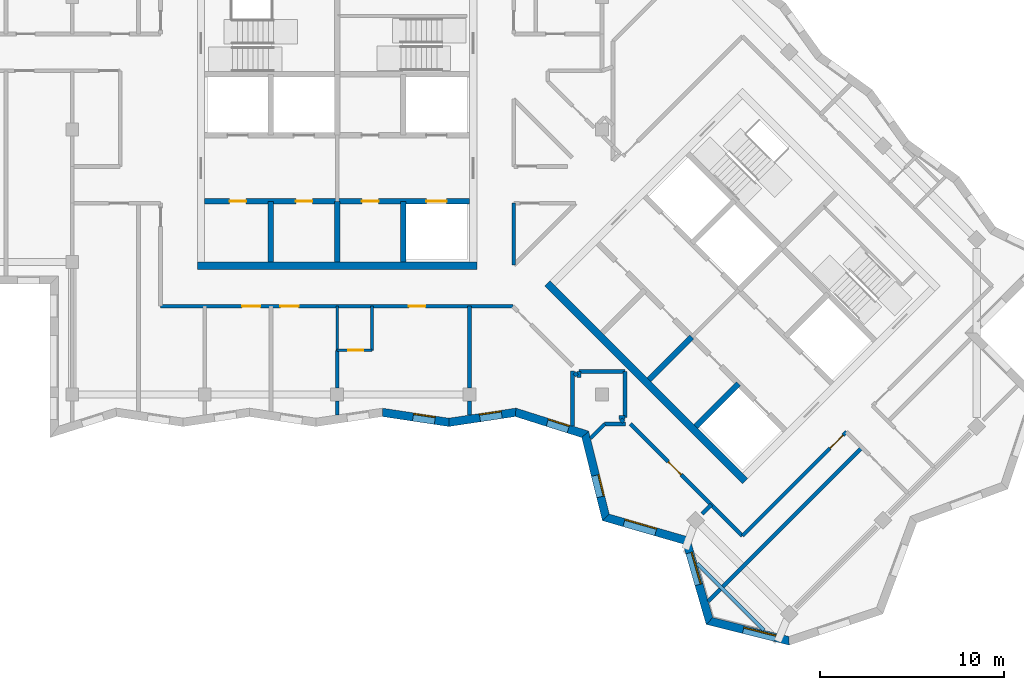
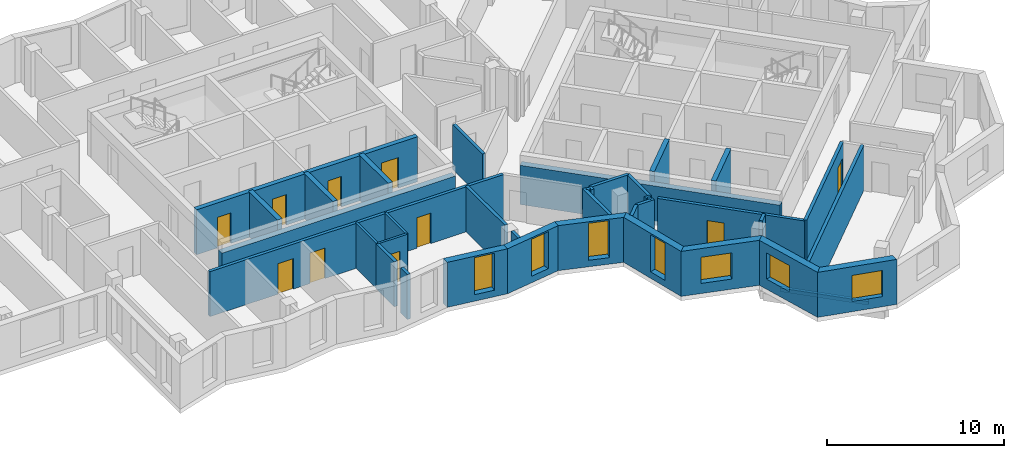
# One storey, part 3 of 11: 38 walls, 10 doors, 7 windows, 17 openings.
"""IFC4 building model written with IfcOpenShell, lengths in metres."""

from ifc_helpers import new_model, si_unit, direction, frame, frame_2d, origin, place, context, subcontext, project, spatial, polyline, rectangle, outline, extrude, material, layer, layer_set, type_object, element, fill, save


model = new_model("IFC4")

# Units and contexts
model_context = context("Model", 3, precision=1e-05, world=origin(), true_north=direction((0.0, 1.0)))
body_context = subcontext(model_context, "Body", "Model", "MODEL_VIEW")
ifc_project = project(units=[si_unit("LENGTHUNIT", "METRE"), si_unit("AREAUNIT", "SQUARE_METRE"), si_unit("VOLUMEUNIT", "CUBIC_METRE"), si_unit("PLANEANGLEUNIT", "RADIAN"), si_unit("MASSUNIT", "GRAM", prefix="KILO")], contexts=[model_context])

# Site, building, storey
site_placement = place(None, origin())
site = spatial("IfcSite", under=ifc_project, at=site_placement, CompositionType="ELEMENT")
building_placement = place(site_placement, origin())
building = spatial("IfcBuilding", under=site, at=building_placement, Name="Windrow Commons", CompositionType="ELEMENT")
storey_placement = place(building_placement, frame((0.0, 0.0, 271.0)))
storey = spatial("IfcBuildingStorey", under=building, at=storey_placement, Name="L74", CompositionType="ELEMENT", Elevation=271.0)

# Wall, opening, window
ifc_material_1 = material(Name="Brick masonry, red clay brick", Category="masonry")
ifc_layer_1 = layer(ifc_material_1, 0.45)
ifc_layer_set_1 = layer_set([ifc_layer_1], Name="Brick facade wall 450")
wall_type_1 = type_object("IfcWallType", Name="Brick facade wall 450", PredefinedType="SOLIDWALL", material=ifc_layer_set_1)
wall_1_placement = place(storey_placement, frame((67.2612, 42.2275, 0.0), z_axis=(0.0, 0.0, 1.0), x_axis=(0.9889295242, -0.1483859704, 0.0)))
wall_1 = element("IfcWall", 1, at=wall_1_placement, inside=storey, type_object=wall_type_1, Name="Brick facade wall L74 43", PredefinedType="SOLIDWALL", context=body_context, shape_type="SweptSolid", body=[
    extrude(outline(polyline([(0.0338, -0.225), (3.6864, -0.225), (3.6189, 0.225), (-0.0338, 0.225), (0.0338, -0.225)])), origin(), (0.0, 0.0, 1.0), 3.1),
])
opening_1_placement = place(wall_1_placement, frame((1.6852, 0.0, 0.45)))
opening_1 = element("IfcOpeningElement", 2, at=opening_1_placement, cuts=wall_1, Name="Opening W7F", PredefinedType="OPENING", context=body_context, shape_type="SweptSolid", body=[
    extrude(rectangle(XDim=1.2, YDim=2.55, at=frame_2d((0.6, 1.275))), frame((0.0, 0.235, 0.0), z_axis=(0.0, -1.0, 0.0), x_axis=(1.0, 0.0, 0.0)), (0.0, 0.0, 1.0), 0.47),
])
ifc_material_2 = material(Name="Clear float glass in anodised aluminium frame", Category="aluminium")
window_type_1 = type_object("IfcWindowType", Name="Window W7 notch 1200x2550", PartitioningType="SINGLE_PANEL", PredefinedType="WINDOW", material=ifc_material_2)
window_1_placement = place(opening_1_placement, origin())
window_1 = element("IfcWindow", 3, at=window_1_placement, inside=storey, type_object=window_type_1, Name="Window L74 43.1", OverallHeight=2.55, OverallWidth=1.2, PartitioningType="SINGLE_PANEL", PredefinedType="WINDOW", context=body_context, shape_type="SweptSolid", body=[
    extrude(rectangle(XDim=1.2, YDim=2.55, at=frame_2d((0.6, 1.275))), frame((0.0, 0.205, 0.0), z_axis=(0.0, -1.0, 0.0), x_axis=(1.0, 0.0, 0.0)), (0.0, 0.0, 1.0), 0.06),
])
fill(opening_1, window_1)

wall_2_placement = place(storey_placement, frame((70.8734, 41.6855, 0.0), z_axis=(0.0, 0.0, 1.0), x_axis=(0.9889307576, 0.14837775, 0.0)))
wall_2 = element("IfcWall", 4, at=wall_2_placement, inside=storey, type_object=wall_type_1, Name="Brick facade wall L74 44", PredefinedType="SOLIDWALL", context=body_context, shape_type="SweptSolid", body=[
    extrude(outline(polyline([(-0.0338, -0.225), (3.6189, -0.225), (3.7231, 0.225), (0.0338, 0.225), (-0.0338, -0.225)])), origin(), (0.0, 0.0, 1.0), 3.1),
])
opening_2_placement = place(wall_2_placement, frame((1.7051, 0.0, 0.45)))
opening_2 = element("IfcOpeningElement", 5, at=opening_2_placement, cuts=wall_2, Name="Opening W7F", PredefinedType="OPENING", context=body_context, shape_type="SweptSolid", body=[
    extrude(rectangle(XDim=1.2, YDim=2.55, at=frame_2d((0.6, 1.275))), frame((0.0, 0.235, 0.0), z_axis=(0.0, -1.0, 0.0), x_axis=(1.0, 0.0, 0.0)), (0.0, 0.0, 1.0), 0.47),
])
window_2_placement = place(opening_2_placement, origin())
window_2 = element("IfcWindow", 6, at=window_2_placement, inside=storey, type_object=window_type_1, Name="Window L74 44.1", OverallHeight=2.55, OverallWidth=1.2, PartitioningType="SINGLE_PANEL", PredefinedType="WINDOW", context=body_context, shape_type="SweptSolid", body=[
    extrude(rectangle(XDim=1.2, YDim=2.55, at=frame_2d((0.6, 1.275))), frame((0.0, 0.205, 0.0), z_axis=(0.0, -1.0, 0.0), x_axis=(1.0, 0.0, 0.0)), (0.0, 0.0, 1.0), 0.06),
])
fill(opening_2, window_2)

wall_3_placement = place(storey_placement, frame((74.5038, 42.2302, 0.0), z_axis=(0.0, 0.0, 1.0), x_axis=(0.9534896492, -0.3014257601, 0.0)))
wall_3 = element("IfcWall", 7, at=wall_3_placement, inside=storey, type_object=wall_type_1, Name="Brick facade wall L74 45", PredefinedType="SOLIDWALL", context=body_context, shape_type="SweptSolid", body=[
    extrude(outline(polyline([(0.0521, -0.225), (3.8406, -0.225), (4.0925, 0.225), (-0.0521, 0.225), (0.0521, -0.225)])), origin(), (0.0, 0.0, 1.0), 3.1),
])
opening_3_placement = place(wall_3_placement, frame((1.8081, 0.0, 0.45)))
opening_3 = element("IfcOpeningElement", 8, at=opening_3_placement, cuts=wall_3, Name="Opening W7F", PredefinedType="OPENING", context=body_context, shape_type="SweptSolid", body=[
    extrude(rectangle(XDim=1.2, YDim=2.55, at=frame_2d((0.6, 1.275))), frame((0.0, 0.235, 0.0), z_axis=(0.0, -1.0, 0.0), x_axis=(1.0, 0.0, 0.0)), (0.0, 0.0, 1.0), 0.47),
])
window_3_placement = place(opening_3_placement, origin())
window_3 = element("IfcWindow", 9, at=window_3_placement, inside=storey, type_object=window_type_1, Name="Window L74 45.1", OverallHeight=2.55, OverallWidth=1.2, PartitioningType="SINGLE_PANEL", PredefinedType="WINDOW", context=body_context, shape_type="SweptSolid", body=[
    extrude(rectangle(XDim=1.2, YDim=2.55, at=frame_2d((0.6, 1.275))), frame((0.0, 0.205, 0.0), z_axis=(0.0, -1.0, 0.0), x_axis=(1.0, 0.0, 0.0)), (0.0, 0.0, 1.0), 0.06),
])
fill(opening_3, window_3)

wall_4_placement = place(storey_placement, frame((78.2858, 41.0346, 0.0), z_axis=(0.0, 0.0, 1.0), x_axis=(0.2414328965, -0.9704175166, 0.0)))
wall_4 = element("IfcWall", 10, at=wall_4_placement, inside=storey, type_object=wall_type_1, Name="Brick facade wall L74 46", PredefinedType="SOLIDWALL", context=body_context, shape_type="SweptSolid", body=[
    extrude(outline(polyline([(0.126, -0.225), (4.7818, -0.225), (4.5225, 0.225), (-0.126, 0.225), (0.126, -0.225)])), origin(), (0.0, 0.0, 1.0), 3.1),
])
opening_4_placement = place(wall_4_placement, frame((2.3004, 0.0, 0.45)))
opening_4 = element("IfcOpeningElement", 11, at=opening_4_placement, cuts=wall_4, Name="Opening W7F", PredefinedType="OPENING", context=body_context, shape_type="SweptSolid", body=[
    extrude(rectangle(XDim=1.2, YDim=2.55, at=frame_2d((0.6, 1.275))), frame((0.0, 0.235, 0.0), z_axis=(0.0, -1.0, 0.0), x_axis=(1.0, 0.0, 0.0)), (0.0, 0.0, 1.0), 0.47),
])
window_4_placement = place(opening_4_placement, origin())
window_4 = element("IfcWindow", 12, at=window_4_placement, inside=storey, type_object=window_type_1, Name="Window L74 46.1", OverallHeight=2.55, OverallWidth=1.2, PartitioningType="SINGLE_PANEL", PredefinedType="WINDOW", context=body_context, shape_type="SweptSolid", body=[
    extrude(rectangle(XDim=1.2, YDim=2.55, at=frame_2d((0.6, 1.275))), frame((0.0, 0.205, 0.0), z_axis=(0.0, -1.0, 0.0), x_axis=(1.0, 0.0, 0.0)), (0.0, 0.0, 1.0), 0.06),
])
fill(opening_4, window_4)

wall_5_placement = place(storey_placement, frame((79.409, 36.52, 0.0), z_axis=(0.0, 0.0, 1.0), x_axis=(0.9606525687, -0.2777528438, 0.0)))
wall_5 = element("IfcWall", 13, at=wall_5_placement, inside=storey, type_object=wall_type_1, Name="Brick facade wall L74 47", PredefinedType="SOLIDWALL", context=body_context, shape_type="SweptSolid", body=[
    extrude(outline(polyline([(-0.1296, -0.225), (4.4264, -0.225), (4.6745, 0.225), (0.1296, 0.225), (-0.1296, -0.225)])), origin(), (0.0, 0.0, 1.0), 3.1),
])
opening_5_placement = place(wall_5_placement, frame((1.0298, 0.0, 0.7)))
opening_5 = element("IfcOpeningElement", 14, at=opening_5_placement, cuts=wall_5, Name="Opening W1M", PredefinedType="OPENING", context=body_context, shape_type="SweptSolid", body=[
    extrude(rectangle(XDim=1.8, YDim=1.8, at=frame_2d((0.9, 0.9))), frame((0.0, 0.235, 0.0), z_axis=(0.0, -1.0, 0.0), x_axis=(1.0, 0.0, 0.0)), (0.0, 0.0, 1.0), 0.47),
])
ifc_material_3 = material(Name="Clear float glass in anodised aluminium frame", Category="aluminium")
window_type_2 = type_object("IfcWindowType", Name="Window W1M bedroom 1800x1800", PartitioningType="SINGLE_PANEL", PredefinedType="WINDOW", material=ifc_material_3)
window_5_placement = place(opening_5_placement, origin())
window_5 = element("IfcWindow", 15, at=window_5_placement, inside=storey, type_object=window_type_2, Name="Window L74 47.1", OverallHeight=1.8, OverallWidth=1.8, PartitioningType="SINGLE_PANEL", PredefinedType="WINDOW", context=body_context, shape_type="SweptSolid", body=[
    extrude(rectangle(XDim=1.8, YDim=1.8, at=frame_2d((0.9, 0.9))), frame((0.0, 0.205, 0.0), z_axis=(0.0, -1.0, 0.0), x_axis=(1.0, 0.0, 0.0)), (0.0, 0.0, 1.0), 0.06),
])
fill(opening_5, window_5)

wall_6_placement = place(storey_placement, frame((83.7804, 35.2561, 0.0), z_axis=(0.0, 0.0, 1.0), x_axis=(0.2777528438, -0.9606525687, 0.0)))
wall_6 = element("IfcWall", 16, at=wall_6_placement, inside=storey, type_object=wall_type_1, Name="Brick facade wall L74 48", PredefinedType="SOLIDWALL", context=body_context, shape_type="SweptSolid", body=[
    extrude(outline(polyline([(0.1241, -0.225), (4.6801, -0.225), (4.4208, 0.225), (-0.1241, 0.225), (0.1241, -0.225)])), origin(), (0.0, 0.0, 1.0), 3.1),
])
opening_6_placement = place(wall_6_placement, frame((0.6865, 0.0, 0.7)))
opening_6 = element("IfcOpeningElement", 17, at=opening_6_placement, cuts=wall_6, Name="Opening W1M", PredefinedType="OPENING", context=body_context, shape_type="SweptSolid", body=[
    extrude(rectangle(XDim=1.8, YDim=1.8, at=frame_2d((0.9, 0.9))), frame((0.0, 0.235, 0.0), z_axis=(0.0, -1.0, 0.0), x_axis=(1.0, 0.0, 0.0)), (0.0, 0.0, 1.0), 0.47),
])
window_6_placement = place(opening_6_placement, origin())
window_6 = element("IfcWindow", 18, at=window_6_placement, inside=storey, type_object=window_type_2, Name="Window L74 48.1", OverallHeight=1.8, OverallWidth=1.8, PartitioningType="SINGLE_PANEL", PredefinedType="WINDOW", context=body_context, shape_type="SweptSolid", body=[
    extrude(rectangle(XDim=1.8, YDim=1.8, at=frame_2d((0.9, 0.9))), frame((0.0, 0.135, 0.0), z_axis=(0.0, -1.0, 0.0), x_axis=(1.0, 0.0, 0.0)), (0.0, 0.0, 1.0), 0.06),
])
fill(opening_6, window_6)

wall_7_placement = place(storey_placement, frame((85.0443, 30.8847, 0.0), z_axis=(0.0, 0.0, 1.0), x_axis=(0.9704174733, -0.2414330705, 0.0)))
wall_7 = element("IfcWall", 19, at=wall_7_placement, inside=storey, type_object=wall_type_1, Name="Brick facade wall L74 49", PredefinedType="SOLIDWALL", context=body_context, shape_type="SweptSolid", body=[
    extrude(outline(polyline([(-0.1296, -0.225), (4.5262, -0.225), (4.3955, 0.225), (0.1296, 0.225), (-0.1296, -0.225)])), origin(), (0.0, 0.0, 1.0), 3.1),
])
opening_7_placement = place(wall_7_placement, frame((1.8963, 0.0, 0.7)))
opening_7 = element("IfcOpeningElement", 20, at=opening_7_placement, cuts=wall_7, Name="Opening W1M", PredefinedType="OPENING", context=body_context, shape_type="SweptSolid", body=[
    extrude(rectangle(XDim=1.8, YDim=1.8, at=frame_2d((0.9, 0.9))), frame((0.0, 0.235, 0.0), z_axis=(0.0, -1.0, 0.0), x_axis=(1.0, 0.0, 0.0)), (0.0, 0.0, 1.0), 0.47),
])
window_7_placement = place(opening_7_placement, origin())
window_7 = element("IfcWindow", 21, at=window_7_placement, inside=storey, type_object=window_type_2, Name="Window L74 49.1", OverallHeight=1.8, OverallWidth=1.8, PartitioningType="SINGLE_PANEL", PredefinedType="WINDOW", context=body_context, shape_type="SweptSolid", body=[
    extrude(rectangle(XDim=1.8, YDim=1.8, at=frame_2d((0.9, 0.9))), frame((0.0, 0.135, 0.0), z_axis=(0.0, -1.0, 0.0), x_axis=(1.0, 0.0, 0.0)), (0.0, 0.0, 1.0), 0.06),
])
fill(opening_7, window_7)

# Wall, openings, doors
ifc_material_4 = material(Name="Blockwork partition", Category="masonry")
ifc_layer_2 = layer(ifc_material_4, 0.2)
ifc_layer_set_2 = layer_set([ifc_layer_2], Name="IW-CORRIDOR-200")
wall_type_2 = type_object("IfcWallType", Name="IW-CORRIDOR-200", PredefinedType="PARTITIONING", material=ifc_layer_set_2)
wall_8_placement = place(storey_placement, frame((55.2, 48.0, 0.0), z_axis=(0.0, 0.0, 1.0), x_axis=(1.0, 0.0, 0.0)))
wall_8 = element("IfcWall", 22, at=wall_8_placement, inside=storey, type_object=wall_type_2, Name="W-L74-W001", PredefinedType="PARTITIONING", context=body_context, shape_type="SweptSolid", body=[
    extrude(rectangle(XDim=19.15, YDim=0.2, at=frame_2d((9.575, 0.0))), origin(), (0.0, 0.0, 1.0), 3.1),
])
opening_8_placement = place(wall_8_placement, frame((4.4325, 0.0, 0.0)))
opening_8 = element("IfcOpeningElement", 23, at=opening_8_placement, cuts=wall_8, Name="Opening D310F", PredefinedType="OPENING", context=body_context, shape_type="SweptSolid", body=[
    extrude(rectangle(XDim=1.0, YDim=2.1, at=frame_2d((0.5, 1.05))), frame((0.0, 0.11, 0.0), z_axis=(0.0, -1.0, 0.0), x_axis=(1.0, 0.0, 0.0)), (0.0, 0.0, 1.0), 0.22),
])
opening_9_placement = place(wall_8_placement, frame((6.5075, 0.0, 0.0)))
opening_9 = element("IfcOpeningElement", 24, at=opening_9_placement, cuts=wall_8, Name="Opening D310F", PredefinedType="OPENING", context=body_context, shape_type="SweptSolid", body=[
    extrude(rectangle(XDim=1.0, YDim=2.1, at=frame_2d((0.5, 1.05))), frame((0.0, 0.11, 0.0), z_axis=(0.0, -1.0, 0.0), x_axis=(1.0, 0.0, 0.0)), (0.0, 0.0, 1.0), 0.22),
])
opening_10_placement = place(wall_8_placement, frame((13.4994, 0.0, 0.0)))
opening_10 = element("IfcOpeningElement", 25, at=opening_10_placement, cuts=wall_8, Name="Opening D109F", PredefinedType="OPENING", context=body_context, shape_type="SweptSolid", body=[
    extrude(rectangle(XDim=0.9, YDim=2.1, at=frame_2d((0.45, 1.05))), frame((0.0, 0.11, 0.0), z_axis=(0.0, -1.0, 0.0), x_axis=(1.0, 0.0, 0.0)), (0.0, 0.0, 1.0), 0.22),
])
ifc_material_5 = material(Name="Timber door leaf", Category="wood")
door_type_1 = type_object("IfcDoorType", Name="DT-AMENITY-1000", OperationType="SINGLE_SWING_LEFT", PredefinedType="DOOR", material=ifc_material_5)
door_1_placement = place(opening_8_placement, origin())
door_1 = element("IfcDoor", 26, at=door_1_placement, inside=storey, type_object=door_type_1, Name="D-L74-D008", OperationType="SINGLE_SWING_LEFT", OverallHeight=2.1, OverallWidth=1.0, PredefinedType="DOOR", context=body_context, shape_type="SweptSolid", body=[
    extrude(rectangle(XDim=1.0, YDim=2.1, at=frame_2d((0.5, 1.05))), frame((0.0, 0.025, 0.0), z_axis=(0.0, -1.0, 0.0), x_axis=(1.0, 0.0, 0.0)), (0.0, 0.0, 1.0), 0.05),
])
fill(opening_8, door_1)
door_2_placement = place(opening_9_placement, origin())
door_2 = element("IfcDoor", 27, at=door_2_placement, inside=storey, type_object=door_type_1, Name="D-L74-D009", OperationType="SINGLE_SWING_RIGHT", OverallHeight=2.1, OverallWidth=1.0, PredefinedType="DOOR", context=body_context, shape_type="SweptSolid", body=[
    extrude(rectangle(XDim=1.0, YDim=2.1, at=frame_2d((0.5, 1.05))), frame((0.0, 0.025, 0.0), z_axis=(0.0, -1.0, 0.0), x_axis=(1.0, 0.0, 0.0)), (0.0, 0.0, 1.0), 0.05),
])
fill(opening_9, door_2)
ifc_material_6 = material(Name="Timber door leaf", Category="wood")
door_type_2 = type_object("IfcDoorType", Name="DT-BEDROOM-900", OperationType="SINGLE_SWING_LEFT", PredefinedType="DOOR", material=ifc_material_6)
door_3_placement = place(opening_10_placement, origin())
door_3 = element("IfcDoor", 28, at=door_3_placement, inside=storey, type_object=door_type_2, Name="D-L74-D010", OperationType="SINGLE_SWING_LEFT", OverallHeight=2.1, OverallWidth=0.9, PredefinedType="DOOR", context=body_context, shape_type="SweptSolid", body=[
    extrude(rectangle(XDim=0.9, YDim=2.1, at=frame_2d((0.45, 1.05))), frame((0.0, 0.025, 0.0), z_axis=(0.0, -1.0, 0.0), x_axis=(1.0, 0.0, 0.0)), (0.0, 0.0, 1.0), 0.05),
])
fill(opening_10, door_3)

# Wall, opening, door
wall_9_placement = place(storey_placement, frame((80.7468, 41.5968, 0.0), z_axis=(0.0, 0.0, 1.0), x_axis=(0.7071067812, -0.7071067812, 0.0)))
wall_9 = element("IfcWall", 29, at=wall_9_placement, inside=storey, type_object=wall_type_2, Name="W-L74-W013", PredefinedType="PARTITIONING", context=body_context, shape_type="SweptSolid", body=[
    extrude(rectangle(XDim=8.6069, YDim=0.2, at=frame_2d((4.3034, 0.0))), origin(), (0.0, 0.0, 1.0), 3.1),
])
opening_11_placement = place(wall_9_placement, frame((2.9026, 0.0, 0.0)))
opening_11 = element("IfcOpeningElement", 30, at=opening_11_placement, cuts=wall_9, Name="Opening D310F", PredefinedType="OPENING", context=body_context, shape_type="SweptSolid", body=[
    extrude(rectangle(XDim=1.0, YDim=2.1, at=frame_2d((0.5, 1.05))), frame((0.0, 0.11, 0.0), z_axis=(0.0, -1.0, 0.0), x_axis=(1.0, 0.0, 0.0)), (0.0, 0.0, 1.0), 0.22),
])
door_4_placement = place(opening_11_placement, origin())
door_4 = element("IfcDoor", 31, at=door_4_placement, inside=storey, type_object=door_type_1, Name="D-L74-D033", OperationType="SINGLE_SWING_RIGHT", OverallHeight=2.1, OverallWidth=1.0, PredefinedType="DOOR", context=body_context, shape_type="SweptSolid", body=[
    extrude(rectangle(XDim=1.0, YDim=2.1, at=frame_2d((0.5, 1.05))), frame((0.0, 0.025, 0.0), z_axis=(0.0, -1.0, 0.0), x_axis=(1.0, 0.0, 0.0)), (0.0, 0.0, 1.0), 0.05),
])
fill(opening_11, door_4)

wall_10_placement = place(storey_placement, frame((86.8359, 35.5141, 0.0), z_axis=(0.0, 0.0, 1.0), x_axis=(0.7071067812, 0.7071067812, 0.0)))
wall_10 = element("IfcWall", 32, at=wall_10_placement, inside=storey, type_object=wall_type_2, Name="W-L74-W014", PredefinedType="PARTITIONING", context=body_context, shape_type="SweptSolid", body=[
    extrude(rectangle(XDim=7.9988, YDim=0.2, at=frame_2d((3.9994, 0.0))), origin(), (0.0, 0.0, 1.0), 3.1),
])
opening_12_placement = place(wall_10_placement, frame((6.7421, 0.0, 0.0)))
opening_12 = element("IfcOpeningElement", 33, at=opening_12_placement, cuts=wall_10, Name="Opening D310F", PredefinedType="OPENING", context=body_context, shape_type="SweptSolid", body=[
    extrude(rectangle(XDim=1.0, YDim=2.1, at=frame_2d((0.5, 1.05))), frame((0.0, 0.11, 0.0), z_axis=(0.0, -1.0, 0.0), x_axis=(1.0, 0.0, 0.0)), (0.0, 0.0, 1.0), 0.22),
])
door_5_placement = place(opening_12_placement, origin())
door_5 = element("IfcDoor", 34, at=door_5_placement, inside=storey, type_object=door_type_1, Name="D-L74-D034", OperationType="SINGLE_SWING_RIGHT", OverallHeight=2.1, OverallWidth=1.0, PredefinedType="DOOR", context=body_context, shape_type="SweptSolid", body=[
    extrude(rectangle(XDim=1.0, YDim=2.1, at=frame_2d((0.5, 1.05))), frame((0.0, 0.025, 0.0), z_axis=(0.0, -1.0, 0.0), x_axis=(1.0, 0.0, 0.0)), (0.0, 0.0, 1.0), 0.05),
])
fill(opening_12, door_5)

# Walls
wall_11_placement = place(storey_placement, frame((74.4, 50.232, 0.0), z_axis=(0.0, 0.0, 1.0), x_axis=(0.0, 1.0, 0.0)))
element("IfcWall", 35, at=wall_11_placement, inside=storey, type_object=wall_type_2, Name="W-L74-W054", PredefinedType="PARTITIONING", context=body_context, shape_type="SweptSolid", body=[
    extrude(rectangle(XDim=3.368, YDim=0.2, at=frame_2d((1.684, 0.0))), origin(), (0.0, 0.0, 1.0), 3.1),
])
for number, where, z_axis, x_axis, name in (
    (36, (80.45, 41.952, 0.0), (0.0, 0.0, 1.0), (0.0, 1.0, 0.0), "W-L74-W068"),
    (37, (77.952, 44.45, 0.0), (0.0, 0.0, 1.0), (1.0, 0.0, 0.0), "W-L74-W069"),
):
    element("IfcWall", number, at=place(storey_placement, frame(where, z_axis=z_axis, x_axis=x_axis)), inside=storey, type_object=wall_type_2, Name=name, PredefinedType="PARTITIONING", context=body_context, shape_type="SweptSolid", body=[
        extrude(rectangle(XDim=2.498, YDim=0.2, at=frame_2d((1.249, 0.0))), origin(), (0.0, 0.0, 1.0), 3.1),
    ])
for number, where, z_axis, x_axis, name in (
    (38, (80.2205, 41.8545, 0.0), (0.0, 0.0, 1.0), (0.7068844555, -0.707329037, 0.0), "W-L74-W115"),
    (39, (77.6954, 44.3795, 0.0), (0.0, 0.0, 1.0), (0.707329037, -0.7068844555, 0.0), "W-L74-W116"),
):
    element("IfcWall", number, at=place(storey_placement, frame(where, z_axis=z_axis, x_axis=x_axis)), inside=storey, type_object=wall_type_2, Name=name, PredefinedType="PARTITIONING", context=body_context, shape_type="SweptSolid", body=[
        extrude(rectangle(XDim=0.2249, YDim=0.2, at=frame_2d((0.1124, 0.0))), origin(), (0.0, 0.0, 1.0), 3.1),
    ])
for number, where, z_axis, x_axis, name in (
    (40, (80.118, 41.95, 0.0), (0.0, 0.0, 1.0), (1.0, 0.0, 0.0), "W-L74-W125"),
    (41, (77.95, 44.118, 0.0), (0.0, 0.0, 1.0), (0.0, 1.0, 0.0), "W-L74-W126"),
):
    element("IfcWall", number, at=place(storey_placement, frame(where, z_axis=z_axis, x_axis=x_axis)), inside=storey, type_object=wall_type_2, Name=name, PredefinedType="PARTITIONING", context=body_context, shape_type="SweptSolid", body=[
        extrude(rectangle(XDim=0.332, YDim=0.2, at=frame_2d((0.166, 0.0))), origin(), (0.0, 0.0, 1.0), 3.1),
    ])
ifc_material_7 = material(Name="Blockwork partition", Category="masonry")
ifc_layer_3 = layer(ifc_material_7, 0.15)
ifc_layer_set_3 = layer_set([ifc_layer_3], Name="IW-ENSUITE-150")
wall_type_3 = type_object("IfcWallType", Name="IW-ENSUITE-150", PredefinedType="PARTITIONING", material=ifc_layer_set_3)
for number, where, z_axis, x_axis, name in (
    (42, (66.7, 45.6, 0.0), (0.0, 0.0, 1.0), (0.0, 1.0, 0.0), "W-L74-W070"),
    (43, (64.8, 45.6, 0.0), (0.0, 0.0, 1.0), (0.0, 1.0, 0.0), "W-L74-W071"),
):
    element("IfcWall", number, at=place(storey_placement, frame(where, z_axis=z_axis, x_axis=x_axis)), inside=storey, type_object=wall_type_3, Name=name, PredefinedType="PARTITIONING", context=body_context, shape_type="SweptSolid", body=[
        extrude(rectangle(XDim=2.4, YDim=0.15, at=frame_2d((1.2, 0.0))), origin(), (0.0, 0.0, 1.0), 3.1),
    ])

# Wall, opening, door
wall_12_placement = place(storey_placement, frame((64.8, 45.6, 0.0), z_axis=(0.0, 0.0, 1.0), x_axis=(1.0, 0.0, 0.0)))
wall_12 = element("IfcWall", 44, at=wall_12_placement, inside=storey, type_object=wall_type_3, Name="W-L74-W084", PredefinedType="PARTITIONING", context=body_context, shape_type="SweptSolid", body=[
    extrude(rectangle(XDim=1.9, YDim=0.15, at=frame_2d((0.95, 0.0))), origin(), (0.0, 0.0, 1.0), 3.1),
])
opening_13_placement = place(wall_12_placement, frame((0.6069, 0.0, 0.0)))
opening_13 = element("IfcOpeningElement", 45, at=opening_13_placement, cuts=wall_12, Name="Opening D208N", PredefinedType="OPENING", context=body_context, shape_type="SweptSolid", body=[
    extrude(rectangle(XDim=0.8, YDim=2.1, at=frame_2d((0.4, 1.05))), frame((0.0, 0.085, 0.0), z_axis=(0.0, -1.0, 0.0), x_axis=(1.0, 0.0, 0.0)), (0.0, 0.0, 1.0), 0.17),
])
ifc_material_8 = material(Name="Timber door leaf", Category="wood")
door_type_3 = type_object("IfcDoorType", Name="DT-ENSUITE-800", OperationType="SINGLE_SWING_LEFT", PredefinedType="DOOR", material=ifc_material_8)
door_6_placement = place(opening_13_placement, origin())
door_6 = element("IfcDoor", 46, at=door_6_placement, inside=storey, type_object=door_type_3, Name="D-L74-D011", OperationType="SINGLE_SWING_RIGHT", OverallHeight=2.1, OverallWidth=0.8, PredefinedType="DOOR", context=body_context, shape_type="SweptSolid", body=[
    extrude(rectangle(XDim=0.8, YDim=2.1, at=frame_2d((0.4, 1.05))), frame((0.0, 0.025, 0.0), z_axis=(0.0, -1.0, 0.0), x_axis=(1.0, 0.0, 0.0)), (0.0, 0.0, 1.0), 0.05),
])
fill(opening_13, door_6)

# Walls
ifc_material_9 = material(Name="Blockwork partition", Category="masonry")
ifc_layer_4 = layer(ifc_material_9, 0.2)
ifc_layer_set_4 = layer_set([ifc_layer_4], Name="IW-PARTY-200")
wall_type_4 = type_object("IfcWallType", Name="IW-PARTY-200", PredefinedType="PARTITIONING", material=ifc_layer_set_4)
wall_13_placement = place(storey_placement, frame((84.9701, 31.9512, 0.0), z_axis=(0.0, 0.0, 1.0), x_axis=(0.7071025578, 0.7071110045, 0.0)))
element("IfcWall", 47, at=wall_13_placement, inside=storey, type_object=wall_type_4, Name="W-L74-W005", PredefinedType="PARTITIONING", context=body_context, shape_type="SweptSolid", body=[
    extrude(rectangle(XDim=11.8389, YDim=0.2, at=frame_2d((5.9195, 0.0))), origin(), (0.0, 0.0, 1.0), 3.1),
])
wall_14_placement = place(storey_placement, frame((72.0, 43.55, 0.0), z_axis=(0.0, 0.0, 1.0), x_axis=(0.0, 1.0, 0.0)))
element("IfcWall", 48, at=wall_14_placement, inside=storey, type_object=wall_type_4, Name="W-L74-W044", PredefinedType="PARTITIONING", context=body_context, shape_type="SweptSolid", body=[
    extrude(rectangle(XDim=4.45, YDim=0.2, at=frame_2d((2.225, 0.0))), origin(), (0.0, 0.0, 1.0), 3.1),
])
wall_15_placement = place(storey_placement, frame((77.6, 41.4874, 0.0), z_axis=(0.0, 0.0, 1.0), x_axis=(0.0, 1.0, 0.0)))
element("IfcWall", 49, at=wall_15_placement, inside=storey, type_object=wall_type_4, Name="W-L74-W057", PredefinedType="PARTITIONING", context=body_context, shape_type="SweptSolid", body=[
    extrude(rectangle(XDim=2.9806, YDim=0.2, at=frame_2d((1.4903, 0.0))), origin(), (0.0, 0.0, 1.0), 3.1),
])
wall_16_placement = place(storey_placement, frame((64.8, 43.55, 0.0), z_axis=(0.0, 0.0, 1.0), x_axis=(0.0, 1.0, 0.0)))
element("IfcWall", 50, at=wall_16_placement, inside=storey, type_object=wall_type_4, Name="W-L74-W077", PredefinedType="PARTITIONING", context=body_context, shape_type="SweptSolid", body=[
    extrude(rectangle(XDim=2.05, YDim=0.2, at=frame_2d((1.025, 0.0))), origin(), (0.0, 0.0, 1.0), 3.1),
])
wall_17_placement = place(storey_placement, frame((79.348, 41.6, 0.0), z_axis=(0.0, 0.0, 1.0), x_axis=(1.0, 0.0, 0.0)))
element("IfcWall", 51, at=wall_17_placement, inside=storey, type_object=wall_type_4, Name="W-L74-W093", PredefinedType="PARTITIONING", context=body_context, shape_type="SweptSolid", body=[
    extrude(rectangle(XDim=1.12, YDim=0.2, at=frame_2d((0.56, 0.0))), origin(), (0.0, 0.0, 1.0), 3.1),
])
wall_18_placement = place(storey_placement, frame((78.5711, 40.8199, 0.0), z_axis=(0.0, 0.0, 1.0), x_axis=(0.7059234937, 0.7082880918, 0.0)))
element("IfcWall", 52, at=wall_18_placement, inside=storey, type_object=wall_type_4, Name="W-L74-W095", PredefinedType="PARTITIONING", context=body_context, shape_type="SweptSolid", body=[
    extrude(rectangle(XDim=1.0996, YDim=0.2, at=frame_2d((0.5498, 0.0))), origin(), (0.0, 0.0, 1.0), 3.1),
])
wall_19_placement = place(storey_placement, frame((72.0, 42.0821, 0.0), z_axis=(0.0, 0.0, 1.0), x_axis=(0.0, 1.0, 0.0)))
element("IfcWall", 53, at=wall_19_placement, inside=storey, type_object=wall_type_4, Name="W-L74-W104", PredefinedType="PARTITIONING", context=body_context, shape_type="SweptSolid", body=[
    extrude(rectangle(XDim=0.7679, YDim=0.2, at=frame_2d((0.384, 0.0))), origin(), (0.0, 0.0, 1.0), 3.1),
])
wall_20_placement = place(storey_placement, frame((64.8, 42.0857, 0.0), z_axis=(0.0, 0.0, 1.0), x_axis=(0.0, 1.0, 0.0)))
element("IfcWall", 54, at=wall_20_placement, inside=storey, type_object=wall_type_4, Name="W-L74-W105", PredefinedType="PARTITIONING", context=body_context, shape_type="SweptSolid", body=[
    extrude(rectangle(XDim=0.7643, YDim=0.2, at=frame_2d((0.3821, 0.0))), origin(), (0.0, 0.0, 1.0), 3.1),
])
wall_21_placement = place(storey_placement, frame((84.6408, 36.7132, 0.0), z_axis=(0.0, 0.0, 1.0), x_axis=(0.7071067812, 0.7071067812, 0.0)))
element("IfcWall", 55, at=wall_21_placement, inside=storey, type_object=wall_type_4, Name="W-L74-W107", PredefinedType="PARTITIONING", context=body_context, shape_type="SweptSolid", body=[
    extrude(rectangle(XDim=0.7043, YDim=0.2, at=frame_2d((0.3522, 0.0))), origin(), (0.0, 0.0, 1.0), 3.1),
])
ifc_material_10 = material(Name="Concrete C40/50", Category="concrete")
ifc_layer_5 = layer(ifc_material_10, 0.4)
ifc_layer_set_5 = layer_set([ifc_layer_5], Name="RC CORE WALL 400 C40/50")
wall_type_5 = type_object("IfcWallType", Name="RC CORE WALL 400 C40/50", PredefinedType="SHEAR", material=ifc_layer_set_5)
for number, where, z_axis, x_axis, name in (
    (56, (57.2, 50.2, -0.3), (0.0, 0.0, 1.0), (1.0, 0.0, 0.0), "Core A wall outer-S"),
    (57, (76.2302, 49.2312, -0.3), (0.0, 0.0, 1.0), (0.7071034917, -0.7071100706, 0.0), "Core B wall outer-S"),
):
    element("IfcWall", number, at=place(storey_placement, frame(where, z_axis=z_axis, x_axis=x_axis)), inside=storey, type_object=wall_type_5, Name=name, PredefinedType="SHEAR", context=body_context, shape_type="SweptSolid", body=[
        extrude(rectangle(XDim=15.2, YDim=0.4, at=frame_2d((7.6, 0.0))), origin(), (0.0, 0.0, 1.0), 2.7),
    ])
ifc_material_11 = material(Name="Concrete C40/50", Category="concrete")
ifc_layer_6 = layer(ifc_material_11, 0.3)
ifc_layer_set_6 = layer_set([ifc_layer_6], Name="RC SHAFT WALL 300 C40/50")
wall_type_6 = type_object("IfcWallType", Name="RC SHAFT WALL 300 C40/50", PredefinedType="SOLIDWALL", material=ifc_layer_set_6)
for number, where, z_axis, x_axis, name in (
    (58, (61.2, 50.4, 0.0), (0.0, 0.0, 1.0), (0.0, 1.0, 0.0), "Core A wall shaft-S1"),
    (59, (64.8, 50.4, 0.0), (0.0, 0.0, 1.0), (0.0, 1.0, 0.0), "Core A wall shaft-S2"),
    (60, (68.4, 50.4, 0.0), (0.0, 0.0, 1.0), (0.0, 1.0, 0.0), "Core A wall shaft-S3"),
):
    element("IfcWall", number, at=place(storey_placement, frame(where, z_axis=z_axis, x_axis=x_axis)), inside=storey, type_object=wall_type_6, Name=name, PredefinedType="SOLIDWALL", context=body_context, shape_type="SweptSolid", body=[
        extrude(rectangle(XDim=3.3, YDim=0.3, at=frame_2d((1.65, 0.0))), origin(), (0.0, 0.0, 1.0), 3.1),
    ])

# Wall, openings, doors
wall_22_placement = place(storey_placement, frame((57.6, 53.7, 0.0), z_axis=(0.0, 0.0, 1.0), x_axis=(1.0, 0.0, 0.0)))
wall_22 = element("IfcWall", 61, at=wall_22_placement, inside=storey, type_object=wall_type_6, Name="Core A wall lobby-S", PredefinedType="SOLIDWALL", context=body_context, shape_type="SweptSolid", body=[
    extrude(rectangle(XDim=14.4, YDim=0.3, at=frame_2d((7.2, 0.0))), origin(), (0.0, 0.0, 1.0), 3.1),
])
opening_14_placement = place(wall_22_placement, frame((1.35, 0.0, 0.0)))
opening_14 = element("IfcOpeningElement", 62, at=opening_14_placement, cuts=wall_22, Name="Opening D8", PredefinedType="OPENING", context=body_context, shape_type="SweptSolid", body=[
    extrude(rectangle(XDim=0.9, YDim=2.1, at=frame_2d((0.45, 1.05))), frame((0.0, 0.16, 0.0), z_axis=(0.0, -1.0, 0.0), x_axis=(1.0, 0.0, 0.0)), (0.0, 0.0, 1.0), 0.32),
])
opening_15_placement = place(wall_22_placement, frame((4.95, 0.0, 0.0)))
opening_15 = element("IfcOpeningElement", 63, at=opening_15_placement, cuts=wall_22, Name="Opening D8", PredefinedType="OPENING", context=body_context, shape_type="SweptSolid", body=[
    extrude(rectangle(XDim=0.9, YDim=2.1, at=frame_2d((0.45, 1.05))), frame((0.0, 0.16, 0.0), z_axis=(0.0, -1.0, 0.0), x_axis=(1.0, 0.0, 0.0)), (0.0, 0.0, 1.0), 0.32),
])
opening_16_placement = place(wall_22_placement, frame((8.55, 0.0, 0.0)))
opening_16 = element("IfcOpeningElement", 64, at=opening_16_placement, cuts=wall_22, Name="Opening D8", PredefinedType="OPENING", context=body_context, shape_type="SweptSolid", body=[
    extrude(rectangle(XDim=0.9, YDim=2.1, at=frame_2d((0.45, 1.05))), frame((0.0, 0.16, 0.0), z_axis=(0.0, -1.0, 0.0), x_axis=(1.0, 0.0, 0.0)), (0.0, 0.0, 1.0), 0.32),
])
opening_17_placement = place(wall_22_placement, frame((12.05, 0.0, 0.0)))
opening_17 = element("IfcOpeningElement", 65, at=opening_17_placement, cuts=wall_22, Name="Opening LD", PredefinedType="OPENING", context=body_context, shape_type="SweptSolid", body=[
    extrude(rectangle(XDim=1.1, YDim=2.1, at=frame_2d((0.55, 1.05))), frame((0.0, 0.16, 0.0), z_axis=(0.0, -1.0, 0.0), x_axis=(1.0, 0.0, 0.0)), (0.0, 0.0, 1.0), 0.32),
])
ifc_material_12 = material(Name="Steel fire door leaf", Category="steel")
door_type_4 = type_object("IfcDoorType", Name="Core store door 900", OperationType="SINGLE_SWING_LEFT", PredefinedType="DOOR", material=ifc_material_12)
door_7_placement = place(opening_14_placement, origin())
door_7 = element("IfcDoor", 66, at=door_7_placement, inside=storey, type_object=door_type_4, Name="Store door", OperationType="SINGLE_SWING_LEFT", OverallHeight=2.1, OverallWidth=0.9, PredefinedType="DOOR", context=body_context, shape_type="SweptSolid", body=[
    extrude(rectangle(XDim=0.9, YDim=2.1, at=frame_2d((0.45, 1.05))), frame((0.0, 0.025, 0.0), z_axis=(0.0, -1.0, 0.0), x_axis=(1.0, 0.0, 0.0)), (0.0, 0.0, 1.0), 0.05),
])
fill(opening_14, door_7)
door_8_placement = place(opening_15_placement, origin())
door_8 = element("IfcDoor", 67, at=door_8_placement, inside=storey, type_object=door_type_4, Name="Store door", OperationType="SINGLE_SWING_LEFT", OverallHeight=2.1, OverallWidth=0.9, PredefinedType="DOOR", context=body_context, shape_type="SweptSolid", body=[
    extrude(rectangle(XDim=0.9, YDim=2.1, at=frame_2d((0.45, 1.05))), frame((0.0, 0.025, 0.0), z_axis=(0.0, -1.0, 0.0), x_axis=(1.0, 0.0, 0.0)), (0.0, 0.0, 1.0), 0.05),
])
fill(opening_15, door_8)
door_9_placement = place(opening_16_placement, origin())
door_9 = element("IfcDoor", 68, at=door_9_placement, inside=storey, type_object=door_type_4, Name="Store door", OperationType="SINGLE_SWING_LEFT", OverallHeight=2.1, OverallWidth=0.9, PredefinedType="DOOR", context=body_context, shape_type="SweptSolid", body=[
    extrude(rectangle(XDim=0.9, YDim=2.1, at=frame_2d((0.45, 1.05))), frame((0.0, 0.025, 0.0), z_axis=(0.0, -1.0, 0.0), x_axis=(1.0, 0.0, 0.0)), (0.0, 0.0, 1.0), 0.05),
])
fill(opening_16, door_9)
ifc_material_13 = material(Name="Stainless steel door leaf", Category="steel")
door_type_5 = type_object("IfcDoorType", Name="Lift landing door 1100", OperationType="SLIDING_TO_LEFT", PredefinedType="DOOR", material=ifc_material_13)
door_10_placement = place(opening_17_placement, origin())
door_10 = element("IfcDoor", 69, at=door_10_placement, inside=storey, type_object=door_type_5, Name="Lift landing door", OperationType="SLIDING_TO_RIGHT", OverallHeight=2.1, OverallWidth=1.1, PredefinedType="DOOR", context=body_context, shape_type="SweptSolid", body=[
    extrude(rectangle(XDim=1.1, YDim=2.1, at=frame_2d((0.55, 1.05))), frame((0.0, 0.025, 0.0), z_axis=(0.0, -1.0, 0.0), x_axis=(1.0, 0.0, 0.0)), (0.0, 0.0, 1.0), 0.05),
])
fill(opening_17, door_10)

# Walls
for number, where, z_axis, x_axis, name in (
    (70, (81.7456, 43.9986, 0.0), (0.0, 0.0, 1.0), (0.7071067812, 0.7071067812, 0.0), "Core B wall shaft-S2"),
    (71, (84.2912, 41.453, 0.0), (0.0, 0.0, 1.0), (0.7071067812, 0.7071067812, 0.0), "Core B wall shaft-S3"),
):
    element("IfcWall", number, at=place(storey_placement, frame(where, z_axis=z_axis, x_axis=x_axis)), inside=storey, type_object=wall_type_6, Name=name, PredefinedType="SOLIDWALL", context=body_context, shape_type="SweptSolid", body=[
        extrude(rectangle(XDim=3.2999, YDim=0.3, at=frame_2d((1.65, 0.0))), origin(), (0.0, 0.0, 1.0), 3.1),
    ])
ifc_material_14 = material(Name="Brick masonry, red clay brick", Category="masonry")
ifc_layer_7 = layer(ifc_material_14, 0.2)
ifc_layer_set_7 = layer_set([ifc_layer_7], Name="Terrace edge parapet 200")
wall_type_7 = type_object("IfcWallType", Name="Terrace edge parapet 200", PredefinedType="PARAPET", material=ifc_layer_set_7)
wall_23_placement = place(storey_placement, frame((88.012, 30.3782, 0.0), z_axis=(0.0, 0.0, 1.0), x_axis=(-0.7071067812, 0.7071067812, 0.0)))
element("IfcWall", 72, at=wall_23_placement, inside=storey, type_object=wall_type_7, Name="Terrace parapet TR-L74-1.1.1", PredefinedType="PARAPET", context=body_context, shape_type="SweptSolid", body=[
    extrude(outline(polyline([(0.0, -0.1), (5.1467, -0.1), (5.1467, 0.1), (0.0, 0.1), (0.0, -0.1)])), origin(), (0.0, 0.0, 1.0), 0.25),
])

save(model, "model.ifc")
